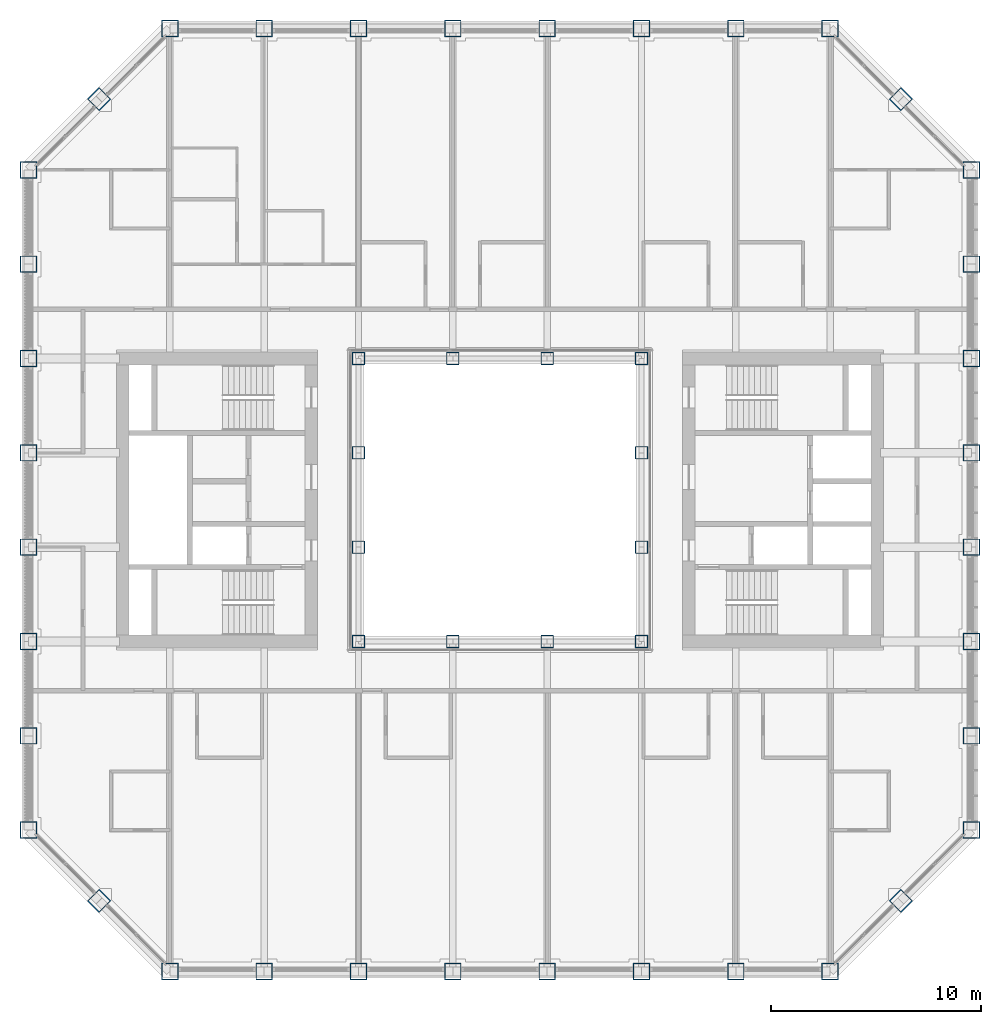
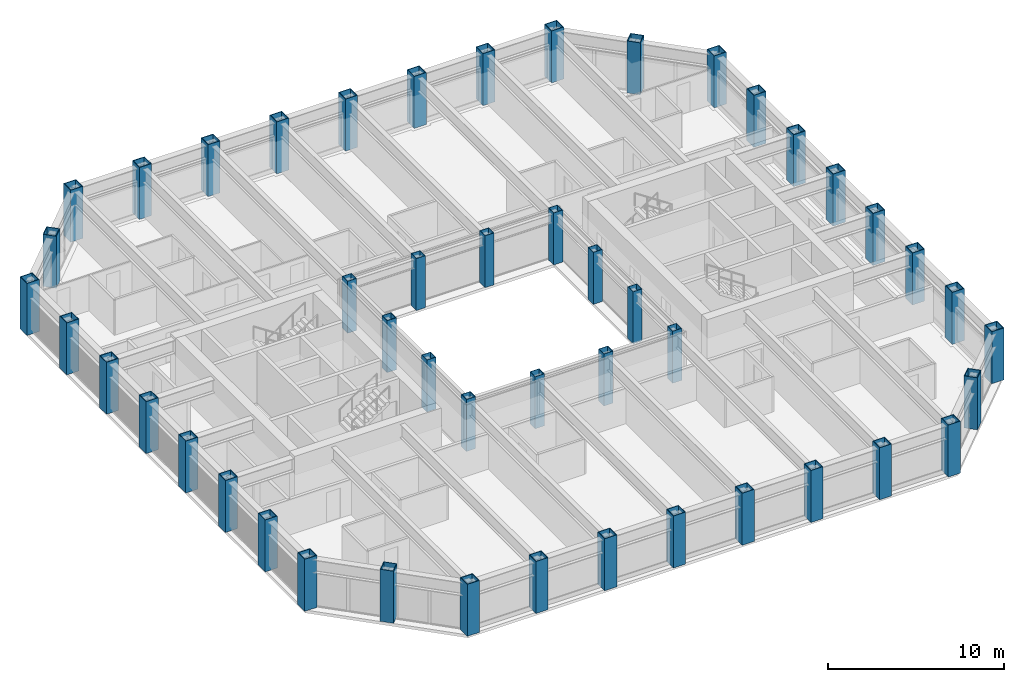
# One storey, part 1 of 17: 48 columns.
"""IFC4 building model written with IfcOpenShell, lengths in metres."""

from ifc_helpers import new_model, si_unit, direction, frame, origin, origin_2d, place, context, subcontext, project, spatial, hollow_rectangle, extrude, material, material_profile, profile_set, type_object, element, save


model = new_model("IFC4")

# Units and contexts
model_context = context("Model", 3, precision=1e-05, world=origin(), true_north=direction((0.0, 1.0)))
body_context = subcontext(model_context, "Body", "Model", "MODEL_VIEW")
ifc_project = project(units=[si_unit("LENGTHUNIT", "METRE"), si_unit("AREAUNIT", "SQUARE_METRE"), si_unit("VOLUMEUNIT", "CUBIC_METRE"), si_unit("PLANEANGLEUNIT", "RADIAN"), si_unit("MASSUNIT", "GRAM", prefix="KILO")], contexts=[model_context])

# Site, building, storey
site_placement = place(None, origin())
site = spatial("IfcSite", under=ifc_project, at=site_placement, CompositionType="ELEMENT")
building_placement = place(site_placement, origin())
building = spatial("IfcBuilding", under=site, at=building_placement, Name="Msasa Ring Tower", CompositionType="ELEMENT")
storey_placement = place(building_placement, frame((0.0, 0.0, 176.0)))
storey = spatial("IfcBuildingStorey", under=building, at=storey_placement, Name="L46", CompositionType="ELEMENT", Elevation=176.0)

# Columns
ifc_material_1 = material(Name="Steel S355", Category="steel")
ifc_material_profile_1 = material_profile(ifc_material_1, hollow_rectangle(XDim=0.60009765625, YDim=0.60009765625, WallThickness=0.030029296875, at=origin_2d()), Name="BOX 600x600x30")
ifc_profile_set_1 = profile_set([ifc_material_profile_1], Name="Steel S355")
column_type_1 = type_object("IfcColumnType", Name="IC5 BOX 600x600x30", PredefinedType="COLUMN", material=ifc_profile_set_1)
for number, where, z_axis, x_axis, name in (
    (1, (-6.75, -6.75, 0.0), (0.0, 0.0, 1.0), (1.0, 0.0, 0.0), "Inner ring column IR-6.75-6.75 L46"),
    (2, (-6.75, -2.25, 0.0), (0.0, 0.0, 1.0), (1.0, 0.0, 0.0), "Inner ring column IR-6.75-2.25 L46"),
    (3, (-6.75, 2.25, 0.0), (0.0, 0.0, 1.0), (1.0, 0.0, 0.0), "Inner ring column IR-6.75+2.25 L46"),
    (4, (-6.75, 6.75, 0.0), (0.0, 0.0, 1.0), (1.0, 0.0, 0.0), "Inner ring column IR-6.75+6.75 L46"),
    (5, (-2.25, -6.75, 0.0), (0.0, 0.0, 1.0), (1.0, 0.0, 0.0), "Inner ring column IR-2.25-6.75 L46"),
    (6, (-2.25, 6.75, 0.0), (0.0, 0.0, 1.0), (1.0, 0.0, 0.0), "Inner ring column IR-2.25+6.75 L46"),
    (7, (2.25, -6.75, 0.0), (0.0, 0.0, 1.0), (1.0, 0.0, 0.0), "Inner ring column IR+2.25-6.75 L46"),
    (8, (2.25, 6.75, 0.0), (0.0, 0.0, 1.0), (1.0, 0.0, 0.0), "Inner ring column IR+2.25+6.75 L46"),
    (9, (6.75, -6.75, 0.0), (0.0, 0.0, 1.0), (1.0, 0.0, 0.0), "Inner ring column IR+6.75-6.75 L46"),
    (10, (6.75, -2.25, 0.0), (0.0, 0.0, 1.0), (1.0, 0.0, 0.0), "Inner ring column IR+6.75-2.25 L46"),
    (11, (6.75, 2.25, 0.0), (0.0, 0.0, 1.0), (1.0, 0.0, 0.0), "Inner ring column IR+6.75+2.25 L46"),
    (12, (6.75, 6.75, 0.0), (0.0, 0.0, 1.0), (1.0, 0.0, 0.0), "Inner ring column IR+6.75+6.75 L46"),
):
    element("IfcColumn", number, at=place(storey_placement, frame(where, z_axis=z_axis, x_axis=x_axis)), inside=storey, type_object=column_type_1, Name=name, PredefinedType="COLUMN", context=body_context, shape_type="SweptSolid", body=[
        extrude(hollow_rectangle(XDim=0.60009765625, YDim=0.60009765625, WallThickness=0.030029296875, at=origin_2d()), origin(), (0.0, 0.0, 1.0), 3.60009765625),
    ])
ifc_material_2 = material(Name="Steel S355", Category="steel")
ifc_material_profile_2 = material_profile(ifc_material_2, hollow_rectangle(XDim=0.800048828125, YDim=0.800048828125, WallThickness=0.044921875, at=origin_2d()), Name="BOX 800x800x45")
ifc_profile_set_2 = profile_set([ifc_material_profile_2], Name="Steel S355")
column_type_2 = type_object("IfcColumnType", Name="TC5 BOX 800x800x45", PredefinedType="COLUMN", material=ifc_profile_set_2)
for number, where, z_axis, x_axis, name in (
    (13, (-15.75, -22.5, 0.0), (0.0, 0.0, 1.0), (0.0, 1.0, 0.0), "Tube column S-15.75 L46"),
    (14, (-15.75, 22.5, 0.0), (0.0, 0.0, 1.0), (0.0, 1.0, 0.0), "Tube column N-15.75 L46"),
    (15, (22.5, -15.75, 0.0), (0.0, 0.0, 1.0), (1.0, 0.0, 0.0), "Tube column E-15.75 L46"),
    (16, (-22.5, -15.75, 0.0), (0.0, 0.0, 1.0), (1.0, 0.0, 0.0), "Tube column W-15.75 L46"),
    (17, (-11.25, -22.5, 0.0), (0.0, 0.0, 1.0), (0.0, 1.0, 0.0), "Tube column S-11.25 L46"),
    (18, (-11.25, 22.5, 0.0), (0.0, 0.0, 1.0), (0.0, 1.0, 0.0), "Tube column N-11.25 L46"),
    (19, (22.5, -11.25, 0.0), (0.0, 0.0, 1.0), (1.0, 0.0, 0.0), "Tube column E-11.25 L46"),
    (20, (-22.5, -11.25, 0.0), (0.0, 0.0, 1.0), (1.0, 0.0, 0.0), "Tube column W-11.25 L46"),
    (21, (-6.75, -22.5, 0.0), (0.0, 0.0, 1.0), (0.0, 1.0, 0.0), "Tube column S-6.75 L46"),
    (22, (-6.75, 22.5, 0.0), (0.0, 0.0, 1.0), (0.0, 1.0, 0.0), "Tube column N-6.75 L46"),
    (23, (22.5, -6.75, 0.0), (0.0, 0.0, 1.0), (1.0, 0.0, 0.0), "Tube column E-6.75 L46"),
    (24, (-22.5, -6.75, 0.0), (0.0, 0.0, 1.0), (1.0, 0.0, 0.0), "Tube column W-6.75 L46"),
    (25, (-2.25, -22.5, 0.0), (0.0, 0.0, 1.0), (0.0, 1.0, 0.0), "Tube column S-2.25 L46"),
    (26, (-2.25, 22.5, 0.0), (0.0, 0.0, 1.0), (0.0, 1.0, 0.0), "Tube column N-2.25 L46"),
    (27, (22.5, -2.25, 0.0), (0.0, 0.0, 1.0), (1.0, 0.0, 0.0), "Tube column E-2.25 L46"),
    (28, (-22.5, -2.25, 0.0), (0.0, 0.0, 1.0), (1.0, 0.0, 0.0), "Tube column W-2.25 L46"),
    (29, (2.25, -22.5, 0.0), (0.0, 0.0, 1.0), (0.0, 1.0, 0.0), "Tube column S+2.25 L46"),
    (30, (2.25, 22.5, 0.0), (0.0, 0.0, 1.0), (0.0, 1.0, 0.0), "Tube column N+2.25 L46"),
    (31, (22.5, 2.25, 0.0), (0.0, 0.0, 1.0), (1.0, 0.0, 0.0), "Tube column E+2.25 L46"),
    (32, (-22.5, 2.25, 0.0), (0.0, 0.0, 1.0), (1.0, 0.0, 0.0), "Tube column W+2.25 L46"),
    (33, (6.75, -22.5, 0.0), (0.0, 0.0, 1.0), (0.0, 1.0, 0.0), "Tube column S+6.75 L46"),
    (34, (6.75, 22.5, 0.0), (0.0, 0.0, 1.0), (0.0, 1.0, 0.0), "Tube column N+6.75 L46"),
    (35, (22.5, 6.75, 0.0), (0.0, 0.0, 1.0), (1.0, 0.0, 0.0), "Tube column E+6.75 L46"),
    (36, (-22.5, 6.75, 0.0), (0.0, 0.0, 1.0), (1.0, 0.0, 0.0), "Tube column W+6.75 L46"),
    (37, (11.25, -22.5, 0.0), (0.0, 0.0, 1.0), (0.0, 1.0, 0.0), "Tube column S+11.25 L46"),
    (38, (11.25, 22.5, 0.0), (0.0, 0.0, 1.0), (0.0, 1.0, 0.0), "Tube column N+11.25 L46"),
    (39, (22.5, 11.25, 0.0), (0.0, 0.0, 1.0), (1.0, 0.0, 0.0), "Tube column E+11.25 L46"),
    (40, (-22.5, 11.25, 0.0), (0.0, 0.0, 1.0), (1.0, 0.0, 0.0), "Tube column W+11.25 L46"),
    (41, (15.75, -22.5, 0.0), (0.0, 0.0, 1.0), (0.0, 1.0, 0.0), "Tube column S+15.75 L46"),
    (42, (15.75, 22.5, 0.0), (0.0, 0.0, 1.0), (0.0, 1.0, 0.0), "Tube column N+15.75 L46"),
    (43, (22.5, 15.75, 0.0), (0.0, 0.0, 1.0), (1.0, 0.0, 0.0), "Tube column E+15.75 L46"),
    (44, (-22.5, 15.75, 0.0), (0.0, 0.0, 1.0), (1.0, 0.0, 0.0), "Tube column W+15.75 L46"),
    (45, (19.125, -19.125, 0.0), (0.0, 0.0, 1.0), (0.707106781187, -0.707106781187, 0.0), "Tube column SE L46"),
    (46, (19.125, 19.125, 0.0), (0.0, 0.0, 1.0), (0.707106781187, 0.707106781187, 0.0), "Tube column NE L46"),
    (47, (-19.125, 19.125, 0.0), (0.0, 0.0, 1.0), (0.707106781187, -0.707106781187, 0.0), "Tube column NW L46"),
    (48, (-19.125, -19.125, 0.0), (0.0, 0.0, 1.0), (0.707106781187, 0.707106781187, 0.0), "Tube column SW L46"),
):
    element("IfcColumn", number, at=place(storey_placement, frame(where, z_axis=z_axis, x_axis=x_axis)), inside=storey, type_object=column_type_2, Name=name, PredefinedType="COLUMN", context=body_context, shape_type="SweptSolid", body=[
        extrude(hollow_rectangle(XDim=0.800048828125, YDim=0.800048828125, WallThickness=0.044921875, at=origin_2d()), origin(), (0.0, 0.0, 1.0), 3.60009765625),
    ])

save(model, "model.ifc")
